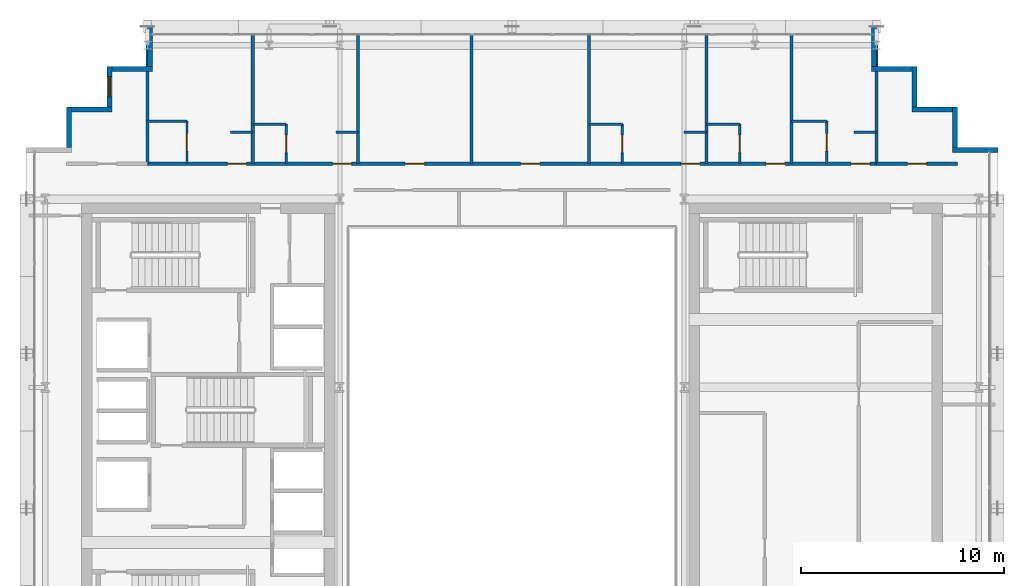
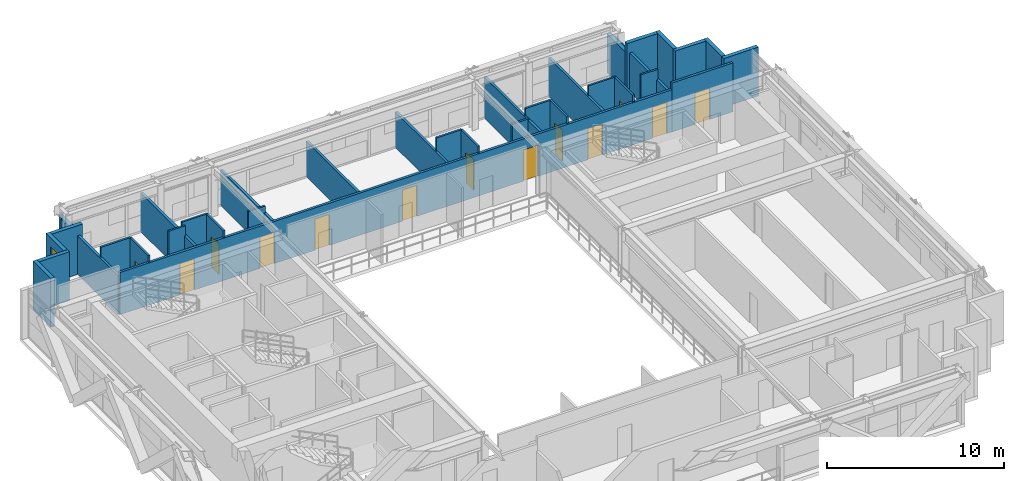
# One storey, part 27 of 32: 35 walls, 13 doors, 1 window, 14 openings.
"""IFC4 building model written with IfcOpenShell, lengths in metres."""

from ifc_helpers import new_model, si_unit, direction, frame, frame_2d, origin, place, context, subcontext, project, spatial, rectangle, extrude, source, transform, mapped, material, layer, layer_set, type_object, element, fill, save


model = new_model("IFC4")

# Units and contexts
model_context = context("Model", 3, precision=1e-05, world=origin(), true_north=direction((0.0, 1.0)))
body_context = subcontext(model_context, "Body", "Model", "MODEL_VIEW")
ifc_project = project(units=[si_unit("LENGTHUNIT", "METRE"), si_unit("AREAUNIT", "SQUARE_METRE"), si_unit("VOLUMEUNIT", "CUBIC_METRE"), si_unit("PLANEANGLEUNIT", "RADIAN"), si_unit("MASSUNIT", "GRAM", prefix="KILO")], contexts=[model_context])

# Site, building, storey
site_placement = place(None, origin())
site = spatial("IfcSite", under=ifc_project, at=site_placement, CompositionType="ELEMENT")
building_placement = place(site_placement, origin())
building = spatial("IfcBuilding", under=site, at=building_placement, Name="Ocotamira Hotel", CompositionType="ELEMENT")
storey_placement = place(building_placement, frame((0.0, 0.0, 184.800048828125)))
storey = spatial("IfcBuildingStorey", under=building, at=storey_placement, Name="L46", CompositionType="ELEMENT", Elevation=184.800048828125)

# Walls
ifc_material_1 = material(Name="Precast concrete C45/55", Category="concrete")
ifc_layer_1 = layer(ifc_material_1, 0.25)
ifc_layer_set_1 = layer_set([ifc_layer_1], Name="Precast concrete C45/55")
wall_type_1 = type_object("IfcWallType", Name="WL-EXT-SER-250", PredefinedType="SOLIDWALL", material=ifc_layer_set_1)
wall_1_placement = place(storey_placement, frame((56.0, 39.875, 0.0), z_axis=(0.0, 0.0, 1.0), x_axis=(-1.0, 0.0, 0.0)))
element("IfcWall", 1, at=wall_1_placement, inside=storey, type_object=wall_type_1, Name="L46 Serrated Corner Wall 07", PredefinedType="SOLIDWALL", context=body_context, shape_type="SweptSolid", body=[
    extrude(rectangle(XDim=2.25, YDim=0.25, at=frame_2d((1.125, 0.0))), origin(), (0.0, 0.0, 1.0), 3.369873046875),
])
for number, where, z_axis, x_axis, name in (
    (2, (53.875, 40.0, 0.0), (0.0, 0.0, 1.0), (0.0, 1.0, 0.0), "L46 Serrated Corner Wall 08"),
    (3, (53.75, 41.875, 0.0), (0.0, 0.0, 1.0), (-1.0, 0.0, 0.0), "L46 Serrated Corner Wall 09"),
    (4, (51.875, 42.0, 0.0), (0.0, 0.0, 1.0), (0.0, 1.0, 0.0), "L46 Serrated Corner Wall 10"),
    (5, (51.75, 43.875, 0.0), (0.0, 0.0, 1.0), (-1.0, 0.0, 0.0), "L46 Serrated Corner Wall 11"),
):
    element("IfcWall", number, at=place(storey_placement, frame(where, z_axis=z_axis, x_axis=x_axis)), inside=storey, type_object=wall_type_1, Name=name, PredefinedType="SOLIDWALL", context=body_context, shape_type="SweptSolid", body=[
        extrude(rectangle(XDim=2.0, YDim=0.25, at=frame_2d((1.0, 0.0))), origin(), (0.0, 0.0, 1.0), 3.369873046875),
    ])
for number, where, z_axis, x_axis, name in (
    (6, (49.875, 44.0, 0.0), (0.0, 0.0, 1.0), (0.0, 1.0, 0.0), "L46 Serrated Corner Wall 12"),
    (7, (14.125, 46.0, 0.0), (0.0, 0.0, 1.0), (0.0, -1.0, 0.0), "L46 Serrated Corner Wall 13"),
):
    element("IfcWall", number, at=place(storey_placement, frame(where, z_axis=z_axis, x_axis=x_axis)), inside=storey, type_object=wall_type_1, Name=name, PredefinedType="SOLIDWALL", context=body_context, shape_type="SweptSolid", body=[
        extrude(rectangle(XDim=2.0, YDim=0.25, at=frame_2d((1.0, 0.0))), origin(), (0.0, 0.0, 1.0), 2.677001953125),
    ])
wall_2_placement = place(storey_placement, frame((14.25, 43.875, 0.0), z_axis=(0.0, 0.0, 1.0), x_axis=(-1.0, 0.0, 0.0)))
element("IfcWall", 8, at=wall_2_placement, inside=storey, type_object=wall_type_1, Name="L46 Serrated Corner Wall 14", PredefinedType="SOLIDWALL", context=body_context, shape_type="SweptSolid", body=[
    extrude(rectangle(XDim=2.0, YDim=0.25, at=frame_2d((1.0, 0.0))), origin(), (0.0, 0.0, 1.0), 3.369873046875),
])

# Wall, opening, window
wall_3_placement = place(storey_placement, frame((12.125, 44.0, 0.0), z_axis=(0.0, 0.0, 1.0), x_axis=(0.0, -1.0, 0.0)))
wall_3 = element("IfcWall", 9, at=wall_3_placement, inside=storey, type_object=wall_type_1, Name="L46 Serrated Corner Wall 15", PredefinedType="SOLIDWALL", context=body_context, shape_type="SweptSolid", body=[
    extrude(rectangle(XDim=2.0, YDim=0.25, at=frame_2d((1.0, 0.0))), origin(), (0.0, 0.0, 1.0), 3.369873046875),
])
opening_1_placement = place(wall_3_placement, frame((0.5, 0.0, 0.85009765625)))
opening_1 = element("IfcOpeningElement", 10, at=opening_1_placement, cuts=wall_3, Name="Opening WN-2", PredefinedType="OPENING", context=body_context, shape_type="SweptSolid", body=[
    extrude(rectangle(XDim=1.0, YDim=1.89990234375, at=frame_2d((0.5, 0.949951171875))), frame((0.0, 0.135009765625, 0.0), z_axis=(0.0, -1.0, 0.0), x_axis=(1.0, 0.0, 0.0)), (0.0, 0.0, 1.0), 0.27001953125),
])
ifc_material_2 = material(Name="Double-silver low-E solar glass", Category="glass")
window_type = type_object("IfcWindowType", Name="WIN-SER-1100", PartitioningType="SINGLE_PANEL", PredefinedType="WINDOW", material=ifc_material_2)
shared_shape_1 = source(origin(), body_context, "Body", "SweptSolid", [
    extrude(rectangle(XDim=1.0, YDim=1.89990234375, at=frame_2d((0.5, 0.949951171875))), frame((0.0, 0.030029296875, 0.0), z_axis=(0.0, -1.0, 0.0), x_axis=(1.0, 0.0, 0.0)), (0.0, 0.0, 1.0), 0.06005859375),
])
window_placement = place(opening_1_placement, origin())
window = element("IfcWindow", 11, at=window_placement, inside=storey, type_object=window_type, Name="L46 Serrated Corner Window 15", OverallHeight=1.89990234375, OverallWidth=1.0, PartitioningType="SINGLE_PANEL", PredefinedType="WINDOW", context=body_context, shape_type="MappedRepresentation", body=[
    mapped(shared_shape_1, transform((0.0, 0.0, 0.0), scale=1.0)),
])
fill(opening_1, window)

# Walls
for number, where, z_axis, x_axis, name in (
    (12, (12.25, 41.875, 0.0), (0.0, 0.0, 1.0), (-1.0, 0.0, 0.0), "L46 Serrated Corner Wall 16"),
    (13, (10.125, 42.0, 0.0), (0.0, 0.0, 1.0), (0.0, -1.0, 0.0), "L46 Serrated Corner Wall 17"),
):
    element("IfcWall", number, at=place(storey_placement, frame(where, z_axis=z_axis, x_axis=x_axis)), inside=storey, type_object=wall_type_1, Name=name, PredefinedType="SOLIDWALL", context=body_context, shape_type="SweptSolid", body=[
        extrude(rectangle(XDim=2.0, YDim=0.25, at=frame_2d((1.0, 0.0))), origin(), (0.0, 0.0, 1.0), 3.369873046875),
    ])

# Wall, opening, door
ifc_material_3 = material(Name="Acoustic double-layer fire gypsum board partition", Category="gypsum")
ifc_layer_2 = layer(ifc_material_3, 0.159912109375)
ifc_layer_set_2 = layer_set([ifc_layer_2], Name="Acoustic double-layer fire gypsum board partition")
wall_type_2 = type_object("IfcWallType", Name="WL-FIRE-160", PredefinedType="PARTITIONING", material=ifc_layer_set_2)
wall_4_placement = place(storey_placement, frame((50.0, 39.199951171875, 0.0), z_axis=(0.0, 0.0, 1.0), x_axis=(1.0, 0.0, 0.0)))
wall_4 = element("IfcWall", 14, at=wall_4_placement, inside=storey, type_object=wall_type_2, Name="L46 Interior Wall PW-L46-Z3C-CNE-CW", PredefinedType="PARTITIONING", context=body_context, shape_type="SweptSolid", body=[
    extrude(rectangle(XDim=4.0, YDim=0.159912109375, at=frame_2d((2.0, 0.0))), origin(), (0.0, 0.0, 1.0), 3.369873046875),
])
opening_2_placement = place(wall_4_placement, frame((1.52001953125, 0.0, 0.0)))
opening_2 = element("IfcOpeningElement", 15, at=opening_2_placement, cuts=wall_4, Name="Opening D-SV4", PredefinedType="OPENING", context=body_context, shape_type="SweptSolid", body=[
    extrude(rectangle(XDim=0.9599609375, YDim=2.14990234375, at=frame_2d((0.47998046875, 1.074951171875))), frame((0.0, 0.08984375, 0.0), z_axis=(0.0, -1.0, 0.0), x_axis=(1.0, 0.0, 0.0)), (0.0, 0.0, 1.0), 0.179931640625),
])
ifc_material_4 = material(Name="Fire-rated accessible walnut salon door", Category="wood")
door_type_1 = type_object("IfcDoorType", Name="DR-SERV-960", OperationType="NOTDEFINED", PredefinedType="DOOR", material=ifc_material_4)
shared_shape_2 = source(origin(), body_context, "Body", "SweptSolid", [
    extrude(rectangle(XDim=0.9599609375, YDim=2.14990234375, at=frame_2d((0.47998046875, 1.074951171875))), frame((0.0, 0.02490234375, 0.0), z_axis=(0.0, -1.0, 0.0), x_axis=(1.0, 0.0, 0.0)), (0.0, 0.0, 1.0), 0.050048828125),
])
door_1_placement = place(opening_2_placement, origin())
door_1 = element("IfcDoor", 16, at=door_1_placement, inside=storey, type_object=door_type_1, Name="L46 Door ID-L46-Z3C-CNE-CD [ID-L46-Z3C-CNE-CD]", OperationType="SINGLE_SWING_LEFT", OverallHeight=2.14990234375, OverallWidth=0.9599609375, PredefinedType="DOOR", context=body_context, shape_type="MappedRepresentation", body=[
    mapped(shared_shape_2, transform((0.0, 0.0, 0.0), scale=1.0)),
])
fill(opening_2, door_1)

# Wall, openings, doors
wall_5_placement = place(storey_placement, frame((14.0, 39.199951171875, 0.0), z_axis=(0.0, 0.0, 1.0), x_axis=(1.0, 0.0, 0.0)))
wall_5 = element("IfcWall", 17, at=wall_5_placement, inside=storey, type_object=wall_type_2, Name="L46 Interior Wall PW-L46-Z3CN-CORRW", PredefinedType="PARTITIONING", context=body_context, shape_type="SweptSolid", body=[
    extrude(rectangle(XDim=36.0, YDim=0.159912109375, at=frame_2d((18.0, 0.0))), origin(), (0.0, 0.0, 1.0), 2.912841796875),
])
opening_3_placement = place(wall_5_placement, frame((3.93994140625, 0.0, 0.0)))
opening_3 = element("IfcOpeningElement", 18, at=opening_3_placement, cuts=wall_5, Name="Opening D-GR1", PredefinedType="OPENING", context=body_context, shape_type="SweptSolid", body=[
    extrude(rectangle(XDim=0.93994140625, YDim=2.14990234375, at=frame_2d((0.469970703125, 1.074951171875))), frame((0.0, 0.08984375, 0.0), z_axis=(0.0, -1.0, 0.0), x_axis=(1.0, 0.0, 0.0)), (0.0, 0.0, 1.0), 0.179931640625),
])
opening_4_placement = place(wall_5_placement, frame((9.139892578125, 0.0, 0.0)))
opening_4 = element("IfcOpeningElement", 19, at=opening_4_placement, cuts=wall_5, Name="Opening D-GR1", PredefinedType="OPENING", context=body_context, shape_type="SweptSolid", body=[
    extrude(rectangle(XDim=0.93994140625, YDim=2.14990234375, at=frame_2d((0.469970703125, 1.074951171875))), frame((0.0, 0.08984375, 0.0), z_axis=(0.0, -1.0, 0.0), x_axis=(1.0, 0.0, 0.0)), (0.0, 0.0, 1.0), 0.179931640625),
])
opening_5_placement = place(wall_5_placement, frame((12.719970703125, 0.0, 0.0)))
opening_5 = element("IfcOpeningElement", 20, at=opening_5_placement, cuts=wall_5, Name="Opening D-SV4", PredefinedType="OPENING", context=body_context, shape_type="SweptSolid", body=[
    extrude(rectangle(XDim=0.9599609375, YDim=2.14990234375, at=frame_2d((0.47998046875, 1.074951171875))), frame((0.0, 0.08984375, 0.0), z_axis=(0.0, -1.0, 0.0), x_axis=(1.0, 0.0, 0.0)), (0.0, 0.0, 1.0), 0.179931640625),
])
opening_6_placement = place(wall_5_placement, frame((18.419921875, 0.0, 0.0)))
opening_6 = element("IfcOpeningElement", 21, at=opening_6_placement, cuts=wall_5, Name="Opening D-SV4", PredefinedType="OPENING", context=body_context, shape_type="SweptSolid", body=[
    extrude(rectangle(XDim=0.9599609375, YDim=2.14990234375, at=frame_2d((0.47998046875, 1.074951171875))), frame((0.0, 0.08984375, 0.0), z_axis=(0.0, -1.0, 0.0), x_axis=(1.0, 0.0, 0.0)), (0.0, 0.0, 1.0), 0.179931640625),
])
opening_7_placement = place(wall_5_placement, frame((26.340087890625, 0.0, 0.0)))
opening_7 = element("IfcOpeningElement", 22, at=opening_7_placement, cuts=wall_5, Name="Opening D-GR1", PredefinedType="OPENING", context=body_context, shape_type="SweptSolid", body=[
    extrude(rectangle(XDim=0.93994140625, YDim=2.14990234375, at=frame_2d((0.469970703125, 1.074951171875))), frame((0.0, 0.08984375, 0.0), z_axis=(0.0, -1.0, 0.0), x_axis=(1.0, 0.0, 0.0)), (0.0, 0.0, 1.0), 0.179931640625),
])
opening_8_placement = place(wall_5_placement, frame((30.5400390625, 0.0, 0.0)))
opening_8 = element("IfcOpeningElement", 23, at=opening_8_placement, cuts=wall_5, Name="Opening D-GR1", PredefinedType="OPENING", context=body_context, shape_type="SweptSolid", body=[
    extrude(rectangle(XDim=0.93994140625, YDim=2.14990234375, at=frame_2d((0.469970703125, 1.074951171875))), frame((0.0, 0.08984375, 0.0), z_axis=(0.0, -1.0, 0.0), x_axis=(1.0, 0.0, 0.0)), (0.0, 0.0, 1.0), 0.179931640625),
])
opening_9_placement = place(wall_5_placement, frame((34.739990234375, 0.0, 0.0)))
opening_9 = element("IfcOpeningElement", 24, at=opening_9_placement, cuts=wall_5, Name="Opening D-GR1", PredefinedType="OPENING", context=body_context, shape_type="SweptSolid", body=[
    extrude(rectangle(XDim=0.93994140625, YDim=2.14990234375, at=frame_2d((0.469970703125, 1.074951171875))), frame((0.0, 0.08984375, 0.0), z_axis=(0.0, -1.0, 0.0), x_axis=(1.0, 0.0, 0.0)), (0.0, 0.0, 1.0), 0.179931640625),
])
door_2_placement = place(opening_5_placement, origin())
door_2 = element("IfcDoor", 25, at=door_2_placement, inside=storey, type_object=door_type_1, Name="L46 Door ID-L46-Z3CN-AMD3 [ID-L46-Z3CN-AMD3]", OperationType="SINGLE_SWING_LEFT", OverallHeight=2.14990234375, OverallWidth=0.9599609375, PredefinedType="DOOR", context=body_context, shape_type="MappedRepresentation", body=[
    mapped(shared_shape_2, transform((0.0, 0.0, 0.0), scale=1.0)),
])
fill(opening_5, door_2)
door_3_placement = place(opening_6_placement, origin())
door_3 = element("IfcDoor", 26, at=door_3_placement, inside=storey, type_object=door_type_1, Name="L46 Door ID-L46-Z3CN-AMD4 [ID-L46-Z3CN-AMD4]", OperationType="SINGLE_SWING_RIGHT", OverallHeight=2.14990234375, OverallWidth=0.9599609375, PredefinedType="DOOR", context=body_context, shape_type="MappedRepresentation", body=[
    mapped(shared_shape_2, transform((0.0, 0.0, 0.0), scale=1.0)),
])
fill(opening_6, door_3)
ifc_material_5 = material(Name="Solid-core walnut suite entrance fire door", Category="wood")
door_type_2 = type_object("IfcDoorType", Name="DR-GUEST-940", OperationType="NOTDEFINED", PredefinedType="DOOR", material=ifc_material_5)
shared_shape_3 = source(origin(), body_context, "Body", "SweptSolid", [
    extrude(rectangle(XDim=0.93994140625, YDim=2.14990234375, at=frame_2d((0.469970703125, 1.074951171875))), frame((0.0, 0.02490234375, 0.0), z_axis=(0.0, -1.0, 0.0), x_axis=(1.0, 0.0, 0.0)), (0.0, 0.0, 1.0), 0.050048828125),
])
door_4_placement = place(opening_3_placement, origin())
door_4 = element("IfcDoor", 27, at=door_4_placement, inside=storey, type_object=door_type_2, Name="L46 Door ID-L46-Z3CN-RMD1 [ID-L46-Z3CN-RMD1]", OperationType="SINGLE_SWING_LEFT", OverallHeight=2.14990234375, OverallWidth=0.93994140625, PredefinedType="DOOR", context=body_context, shape_type="MappedRepresentation", body=[
    mapped(shared_shape_3, transform((0.0, 0.0, 0.0), scale=1.0)),
])
fill(opening_3, door_4)
door_5_placement = place(opening_4_placement, origin())
door_5 = element("IfcDoor", 28, at=door_5_placement, inside=storey, type_object=door_type_2, Name="L46 Door ID-L46-Z3CN-RMD2 [ID-L46-Z3CN-RMD2]", OperationType="SINGLE_SWING_RIGHT", OverallHeight=2.14990234375, OverallWidth=0.93994140625, PredefinedType="DOOR", context=body_context, shape_type="MappedRepresentation", body=[
    mapped(shared_shape_3, transform((0.0, 0.0, 0.0), scale=1.0)),
])
fill(opening_4, door_5)
door_6_placement = place(opening_7_placement, origin())
door_6 = element("IfcDoor", 29, at=door_6_placement, inside=storey, type_object=door_type_2, Name="L46 Door ID-L46-Z3CN-RMD5 [ID-L46-Z3CN-RMD5]", OperationType="SINGLE_SWING_LEFT", OverallHeight=2.14990234375, OverallWidth=0.93994140625, PredefinedType="DOOR", context=body_context, shape_type="MappedRepresentation", body=[
    mapped(shared_shape_3, transform((0.0, 0.0, 0.0), scale=1.0)),
])
fill(opening_7, door_6)
door_7_placement = place(opening_8_placement, origin())
door_7 = element("IfcDoor", 30, at=door_7_placement, inside=storey, type_object=door_type_2, Name="L46 Door ID-L46-Z3CN-RMD6 [ID-L46-Z3CN-RMD6]", OperationType="SINGLE_SWING_RIGHT", OverallHeight=2.14990234375, OverallWidth=0.93994140625, PredefinedType="DOOR", context=body_context, shape_type="MappedRepresentation", body=[
    mapped(shared_shape_3, transform((0.0, 0.0, 0.0), scale=1.0)),
])
fill(opening_8, door_7)
door_8_placement = place(opening_9_placement, origin())
door_8 = element("IfcDoor", 31, at=door_8_placement, inside=storey, type_object=door_type_2, Name="L46 Door ID-L46-Z3CN-RMD7 [ID-L46-Z3CN-RMD7]", OperationType="SINGLE_SWING_LEFT", OverallHeight=2.14990234375, OverallWidth=0.93994140625, PredefinedType="DOOR", context=body_context, shape_type="MappedRepresentation", body=[
    mapped(shared_shape_3, transform((0.0, 0.0, 0.0), scale=1.0)),
])
fill(opening_9, door_8)

# Wall, opening, door
ifc_material_6 = material(Name="Moisture-resistant en-suite tile and gypsum partition", Category="gypsum")
ifc_layer_3 = layer(ifc_material_6, 0.1201171875)
ifc_layer_set_3 = layer_set([ifc_layer_3], Name="Moisture-resistant en-suite tile and gypsum partition")
wall_type_3 = type_object("IfcWallType", Name="WL-PART-120", PredefinedType="PARTITIONING", material=ifc_layer_set_3)
wall_6_placement = place(storey_placement, frame((15.949951171875, 39.199951171875, 0.0), z_axis=(0.0, 0.0, 1.0), x_axis=(0.0, 1.0, 0.0)))
wall_6 = element("IfcWall", 32, at=wall_6_placement, inside=storey, type_object=wall_type_3, Name="L46 Interior Wall PW-L46-Z3CN-BAE1", PredefinedType="PARTITIONING", context=body_context, shape_type="SweptSolid", body=[
    extrude(rectangle(XDim=2.10009765625, YDim=0.1201171875, at=frame_2d((1.050048828125, 0.0))), origin(), (0.0, 0.0, 1.0), 3.369873046875),
])
opening_10_placement = place(wall_6_placement, frame((0.6201171875, 0.0, 0.0)))
opening_10 = element("IfcOpeningElement", 33, at=opening_10_placement, cuts=wall_6, Name="Opening D-BA1", PredefinedType="OPENING", context=body_context, shape_type="SweptSolid", body=[
    extrude(rectangle(XDim=0.860107421875, YDim=2.10009765625, at=frame_2d((0.43017578125, 1.050048828125))), frame((0.0, 0.070068359375, 0.0), z_axis=(0.0, -1.0, 0.0), x_axis=(1.0, 0.0, 0.0)), (0.0, 0.0, 1.0), 0.14013671875),
])
ifc_material_7 = material(Name="Moisture-sealed en-suite timber door", Category="wood")
door_type_3 = type_object("IfcDoorType", Name="DR-BATH-860", OperationType="NOTDEFINED", PredefinedType="DOOR", material=ifc_material_7)
shared_shape_4 = source(origin(), body_context, "Body", "SweptSolid", [
    extrude(rectangle(XDim=0.860107421875, YDim=2.10009765625, at=frame_2d((0.43017578125, 1.050048828125))), frame((0.0, 0.02490234375, 0.0), z_axis=(0.0, -1.0, 0.0), x_axis=(1.0, 0.0, 0.0)), (0.0, 0.0, 1.0), 0.050048828125),
])
door_9_placement = place(opening_10_placement, origin())
door_9 = element("IfcDoor", 34, at=door_9_placement, inside=storey, type_object=door_type_3, Name="L46 Door ID-L46-Z3CN-BAD1 [ID-L46-Z3CN-BAD1]", OperationType="SINGLE_SWING_RIGHT", OverallHeight=2.10009765625, OverallWidth=0.860107421875, PredefinedType="DOOR", context=body_context, shape_type="MappedRepresentation", body=[
    mapped(shared_shape_4, transform((0.0, 0.0, 0.0), scale=1.0)),
])
fill(opening_10, door_9)

# Walls
wall_7_placement = place(storey_placement, frame((14.0, 41.300048828125, 0.0), z_axis=(0.0, 0.0, 1.0), x_axis=(1.0, 0.0, 0.0)))
element("IfcWall", 35, at=wall_7_placement, inside=storey, type_object=wall_type_3, Name="L46 Interior Wall PW-L46-Z3CN-BAN1", PredefinedType="PARTITIONING", context=body_context, shape_type="SweptSolid", body=[
    extrude(rectangle(XDim=1.949951171875, YDim=0.1201171875, at=frame_2d((0.97509765625, 0.0))), origin(), (0.0, 0.0, 1.0), 3.369873046875),
])
wall_8_placement = place(storey_placement, frame((18.10009765625, 40.75, 0.0), z_axis=(0.0, 0.0, 1.0), x_axis=(1.0, 0.0, 0.0)))
element("IfcWall", 36, at=wall_8_placement, inside=storey, type_object=wall_type_3, Name="L46 Interior Wall PW-L46-Z3CN-DRN1", PredefinedType="PARTITIONING", context=body_context, shape_type="SweptSolid", body=[
    extrude(rectangle(XDim=1.099853515625, YDim=0.1201171875, at=frame_2d((0.5498046875, 0.0))), origin(), (0.0, 0.0, 1.0), 3.369873046875),
])

# Wall, opening, door
wall_9_placement = place(storey_placement, frame((20.85009765625, 39.199951171875, 0.0), z_axis=(0.0, 0.0, 1.0), x_axis=(0.0, 1.0, 0.0)))
wall_9 = element("IfcWall", 37, at=wall_9_placement, inside=storey, type_object=wall_type_3, Name="L46 Interior Wall PW-L46-Z3CN-BAE2", PredefinedType="PARTITIONING", context=body_context, shape_type="SweptSolid", body=[
    extrude(rectangle(XDim=1.949951171875, YDim=0.1201171875, at=frame_2d((0.97509765625, 0.0))), origin(), (0.0, 0.0, 1.0), 3.369873046875),
])
opening_11_placement = place(wall_9_placement, frame((0.544921875, 0.0, 0.0)))
opening_11 = element("IfcOpeningElement", 38, at=opening_11_placement, cuts=wall_9, Name="Opening D-BA1", PredefinedType="OPENING", context=body_context, shape_type="SweptSolid", body=[
    extrude(rectangle(XDim=0.860107421875, YDim=2.10009765625, at=frame_2d((0.43017578125, 1.050048828125))), frame((0.0, 0.070068359375, 0.0), z_axis=(0.0, -1.0, 0.0), x_axis=(1.0, 0.0, 0.0)), (0.0, 0.0, 1.0), 0.14013671875),
])
door_10_placement = place(opening_11_placement, origin())
door_10 = element("IfcDoor", 39, at=door_10_placement, inside=storey, type_object=door_type_3, Name="L46 Door ID-L46-Z3CN-BAD2 [ID-L46-Z3CN-BAD2]", OperationType="SINGLE_SWING_LEFT", OverallHeight=2.10009765625, OverallWidth=0.860107421875, PredefinedType="DOOR", context=body_context, shape_type="MappedRepresentation", body=[
    mapped(shared_shape_4, transform((0.0, 0.0, 0.0), scale=1.0)),
])
fill(opening_11, door_10)

# Walls
wall_10_placement = place(storey_placement, frame((19.199951171875, 41.14990234375, 0.0), z_axis=(0.0, 0.0, 1.0), x_axis=(1.0, 0.0, 0.0)))
element("IfcWall", 40, at=wall_10_placement, inside=storey, type_object=wall_type_3, Name="L46 Interior Wall PW-L46-Z3CN-BAN2", PredefinedType="PARTITIONING", context=body_context, shape_type="SweptSolid", body=[
    extrude(rectangle(XDim=1.650146484375, YDim=0.1201171875, at=frame_2d((0.8251953125, 0.0))), origin(), (0.0, 0.0, 1.0), 3.369873046875),
])
wall_11_placement = place(storey_placement, frame((23.300048828125, 40.75, 0.0), z_axis=(0.0, 0.0, 1.0), x_axis=(1.0, 0.0, 0.0)))
element("IfcWall", 41, at=wall_11_placement, inside=storey, type_object=wall_type_3, Name="L46 Interior Wall PW-L46-Z3CN-DRN2", PredefinedType="PARTITIONING", context=body_context, shape_type="SweptSolid", body=[
    extrude(rectangle(XDim=1.099853515625, YDim=0.1201171875, at=frame_2d((0.5498046875, 0.0))), origin(), (0.0, 0.0, 1.0), 2.912841796875),
])

# Wall, opening, door
wall_12_placement = place(storey_placement, frame((37.449951171875, 39.199951171875, 0.0), z_axis=(0.0, 0.0, 1.0), x_axis=(0.0, 1.0, 0.0)))
wall_12 = element("IfcWall", 42, at=wall_12_placement, inside=storey, type_object=wall_type_3, Name="L46 Interior Wall PW-L46-Z3CN-BAE5", PredefinedType="PARTITIONING", context=body_context, shape_type="SweptSolid", body=[
    extrude(rectangle(XDim=1.949951171875, YDim=0.1201171875, at=frame_2d((0.97509765625, 0.0))), origin(), (0.0, 0.0, 1.0), 3.369873046875),
])
opening_12_placement = place(wall_12_placement, frame((0.544921875, 0.0, 0.0)))
opening_12 = element("IfcOpeningElement", 43, at=opening_12_placement, cuts=wall_12, Name="Opening D-BA1", PredefinedType="OPENING", context=body_context, shape_type="SweptSolid", body=[
    extrude(rectangle(XDim=0.860107421875, YDim=2.10009765625, at=frame_2d((0.43017578125, 1.050048828125))), frame((0.0, 0.070068359375, 0.0), z_axis=(0.0, -1.0, 0.0), x_axis=(1.0, 0.0, 0.0)), (0.0, 0.0, 1.0), 0.14013671875),
])
door_11_placement = place(opening_12_placement, origin())
door_11 = element("IfcDoor", 44, at=door_11_placement, inside=storey, type_object=door_type_3, Name="L46 Door ID-L46-Z3CN-BAD5 [ID-L46-Z3CN-BAD5]", OperationType="SINGLE_SWING_RIGHT", OverallHeight=2.10009765625, OverallWidth=0.860107421875, PredefinedType="DOOR", context=body_context, shape_type="MappedRepresentation", body=[
    mapped(shared_shape_4, transform((0.0, 0.0, 0.0), scale=1.0)),
])
fill(opening_12, door_11)

# Walls
wall_13_placement = place(storey_placement, frame((35.800048828125, 41.14990234375, 0.0), z_axis=(0.0, 0.0, 1.0), x_axis=(1.0, 0.0, 0.0)))
element("IfcWall", 45, at=wall_13_placement, inside=storey, type_object=wall_type_3, Name="L46 Interior Wall PW-L46-Z3CN-BAN5", PredefinedType="PARTITIONING", context=body_context, shape_type="SweptSolid", body=[
    extrude(rectangle(XDim=1.64990234375, YDim=0.1201171875, at=frame_2d((0.824951171875, 0.0))), origin(), (0.0, 0.0, 1.0), 3.369873046875),
])
wall_14_placement = place(storey_placement, frame((40.5, 40.75, 0.0), z_axis=(0.0, 0.0, 1.0), x_axis=(1.0, 0.0, 0.0)))
element("IfcWall", 46, at=wall_14_placement, inside=storey, type_object=wall_type_3, Name="L46 Interior Wall PW-L46-Z3CN-DRN5", PredefinedType="PARTITIONING", context=body_context, shape_type="SweptSolid", body=[
    extrude(rectangle(XDim=1.10009765625, YDim=0.1201171875, at=frame_2d((0.550048828125, 0.0))), origin(), (0.0, 0.0, 1.0), 2.912841796875),
])

# Wall, opening, door
wall_15_placement = place(storey_placement, frame((43.25, 39.199951171875, 0.0), z_axis=(0.0, 0.0, 1.0), x_axis=(0.0, 1.0, 0.0)))
wall_15 = element("IfcWall", 47, at=wall_15_placement, inside=storey, type_object=wall_type_3, Name="L46 Interior Wall PW-L46-Z3CN-BAE6", PredefinedType="PARTITIONING", context=body_context, shape_type="SweptSolid", body=[
    extrude(rectangle(XDim=1.949951171875, YDim=0.1201171875, at=frame_2d((0.97509765625, 0.0))), origin(), (0.0, 0.0, 1.0), 3.369873046875),
])
opening_13_placement = place(wall_15_placement, frame((0.544921875, 0.0, 0.0)))
opening_13 = element("IfcOpeningElement", 48, at=opening_13_placement, cuts=wall_15, Name="Opening D-BA1", PredefinedType="OPENING", context=body_context, shape_type="SweptSolid", body=[
    extrude(rectangle(XDim=0.860107421875, YDim=2.10009765625, at=frame_2d((0.43017578125, 1.050048828125))), frame((0.0, 0.070068359375, 0.0), z_axis=(0.0, -1.0, 0.0), x_axis=(1.0, 0.0, 0.0)), (0.0, 0.0, 1.0), 0.14013671875),
])
door_12_placement = place(opening_13_placement, origin())
door_12 = element("IfcDoor", 49, at=door_12_placement, inside=storey, type_object=door_type_3, Name="L46 Door ID-L46-Z3CN-BAD6 [ID-L46-Z3CN-BAD6]", OperationType="SINGLE_SWING_LEFT", OverallHeight=2.10009765625, OverallWidth=0.860107421875, PredefinedType="DOOR", context=body_context, shape_type="MappedRepresentation", body=[
    mapped(shared_shape_4, transform((0.0, 0.0, 0.0), scale=1.0)),
])
fill(opening_13, door_12)

# Wall
wall_16_placement = place(storey_placement, frame((41.60009765625, 41.14990234375, 0.0), z_axis=(0.0, 0.0, 1.0), x_axis=(1.0, 0.0, 0.0)))
element("IfcWall", 50, at=wall_16_placement, inside=storey, type_object=wall_type_3, Name="L46 Interior Wall PW-L46-Z3CN-BAN6", PredefinedType="PARTITIONING", context=body_context, shape_type="SweptSolid", body=[
    extrude(rectangle(XDim=1.64990234375, YDim=0.1201171875, at=frame_2d((0.824951171875, 0.0))), origin(), (0.0, 0.0, 1.0), 3.369873046875),
])

# Wall, opening, door
wall_17_placement = place(storey_placement, frame((47.550048828125, 39.199951171875, 0.0), z_axis=(0.0, 0.0, 1.0), x_axis=(0.0, 1.0, 0.0)))
wall_17 = element("IfcWall", 51, at=wall_17_placement, inside=storey, type_object=wall_type_3, Name="L46 Interior Wall PW-L46-Z3CN-BAE7", PredefinedType="PARTITIONING", context=body_context, shape_type="SweptSolid", body=[
    extrude(rectangle(XDim=2.10009765625, YDim=0.1201171875, at=frame_2d((1.050048828125, 0.0))), origin(), (0.0, 0.0, 1.0), 3.369873046875),
])
opening_14_placement = place(wall_17_placement, frame((0.6201171875, 0.0, 0.0)))
opening_14 = element("IfcOpeningElement", 52, at=opening_14_placement, cuts=wall_17, Name="Opening D-BA1", PredefinedType="OPENING", context=body_context, shape_type="SweptSolid", body=[
    extrude(rectangle(XDim=0.860107421875, YDim=2.10009765625, at=frame_2d((0.43017578125, 1.050048828125))), frame((0.0, 0.070068359375, 0.0), z_axis=(0.0, -1.0, 0.0), x_axis=(1.0, 0.0, 0.0)), (0.0, 0.0, 1.0), 0.14013671875),
])
door_13_placement = place(opening_14_placement, origin())
door_13 = element("IfcDoor", 53, at=door_13_placement, inside=storey, type_object=door_type_3, Name="L46 Door ID-L46-Z3CN-BAD7 [ID-L46-Z3CN-BAD7]", OperationType="SINGLE_SWING_RIGHT", OverallHeight=2.10009765625, OverallWidth=0.860107421875, PredefinedType="DOOR", context=body_context, shape_type="MappedRepresentation", body=[
    mapped(shared_shape_4, transform((0.0, 0.0, 0.0), scale=1.0)),
])
fill(opening_14, door_13)

# Walls
wall_18_placement = place(storey_placement, frame((45.800048828125, 41.300048828125, 0.0), z_axis=(0.0, 0.0, 1.0), x_axis=(1.0, 0.0, 0.0)))
element("IfcWall", 54, at=wall_18_placement, inside=storey, type_object=wall_type_3, Name="L46 Interior Wall PW-L46-Z3CN-BAN7", PredefinedType="PARTITIONING", context=body_context, shape_type="SweptSolid", body=[
    extrude(rectangle(XDim=1.75, YDim=0.1201171875, at=frame_2d((0.875, 0.0))), origin(), (0.0, 0.0, 1.0), 3.369873046875),
])
wall_19_placement = place(storey_placement, frame((48.89990234375, 40.75, 0.0), z_axis=(0.0, 0.0, 1.0), x_axis=(1.0, 0.0, 0.0)))
element("IfcWall", 55, at=wall_19_placement, inside=storey, type_object=wall_type_3, Name="L46 Interior Wall PW-L46-Z3CN-DRN7", PredefinedType="PARTITIONING", context=body_context, shape_type="SweptSolid", body=[
    extrude(rectangle(XDim=1.10009765625, YDim=0.1201171875, at=frame_2d((0.550048828125, 0.0))), origin(), (0.0, 0.0, 1.0), 3.369873046875),
])
ifc_material_8 = material(Name="Acoustic double-stud hospitality gypsum partition", Category="gypsum")
ifc_layer_4 = layer(ifc_material_8, 0.159912109375)
ifc_layer_set_4 = layer_set([ifc_layer_4], Name="Acoustic double-stud hospitality gypsum partition")
wall_type_4 = type_object("IfcWallType", Name="WL-PART-160", PredefinedType="PARTITIONING", material=ifc_layer_set_4)
for number, where, z_axis, x_axis, name in (
    (56, (14.0, 39.199951171875, 0.0), (0.0, 0.0, 1.0), (0.0, 1.0, 0.0), "L46 Interior Wall PW-L46-Z3CN-PW0"),
    (57, (50.0, 39.199951171875, 0.0), (0.0, 0.0, 1.0), (0.0, 1.0, 0.0), "L46 Interior Wall PW-L46-Z3CN-PWEND"),
):
    element("IfcWall", number, at=place(storey_placement, frame(where, z_axis=z_axis, x_axis=x_axis)), inside=storey, type_object=wall_type_4, Name=name, PredefinedType="PARTITIONING", context=body_context, shape_type="SweptSolid", body=[
        extrude(rectangle(XDim=6.43994140625, YDim=0.159912109375, at=frame_2d((3.219970703125, 0.0))), origin(), (0.0, 0.0, 1.0), 2.677001953125),
    ])
for number, where, z_axis, x_axis, name in (
    (58, (24.39990234375, 39.199951171875, 0.0), (0.0, 0.0, 1.0), (0.0, 1.0, 0.0), "L46 Interior Wall PW-L46-Z3CN-PW2"),
    (59, (30.0, 39.199951171875, 0.0), (0.0, 0.0, 1.0), (0.0, 1.0, 0.0), "L46 Interior Wall PW-L46-Z3CN-PW3"),
    (60, (35.800048828125, 39.199951171875, 0.0), (0.0, 0.0, 1.0), (0.0, 1.0, 0.0), "L46 Interior Wall PW-L46-Z3CN-PW4"),
):
    element("IfcWall", number, at=place(storey_placement, frame(where, z_axis=z_axis, x_axis=x_axis)), inside=storey, type_object=wall_type_4, Name=name, PredefinedType="PARTITIONING", context=body_context, shape_type="SweptSolid", body=[
        extrude(rectangle(XDim=6.43994140625, YDim=0.159912109375, at=frame_2d((3.219970703125, 0.0))), origin(), (0.0, 0.0, 1.0), 2.44287109375),
    ])
wall_20_placement = place(storey_placement, frame((41.60009765625, 39.199951171875, 0.0), z_axis=(0.0, 0.0, 1.0), x_axis=(0.0, 1.0, 0.0)))
element("IfcWall", 61, at=wall_20_placement, inside=storey, type_object=wall_type_4, Name="L46 Interior Wall PW-L46-Z3CN-PW5", PredefinedType="PARTITIONING", context=body_context, shape_type="SweptSolid", body=[
    extrude(rectangle(XDim=6.43994140625, YDim=0.159912109375, at=frame_2d((3.219970703125, 0.0))), origin(), (0.0, 0.0, 1.0), 2.8330078125),
])
wall_21_placement = place(storey_placement, frame((45.800048828125, 39.199951171875, 0.0), z_axis=(0.0, 0.0, 1.0), x_axis=(0.0, 1.0, 0.0)))
element("IfcWall", 62, at=wall_21_placement, inside=storey, type_object=wall_type_4, Name="L46 Interior Wall PW-L46-Z3CN-PW6", PredefinedType="PARTITIONING", context=body_context, shape_type="SweptSolid", body=[
    extrude(rectangle(XDim=6.43994140625, YDim=0.159912109375, at=frame_2d((3.219970703125, 0.0))), origin(), (0.0, 0.0, 1.0), 2.677001953125),
])
ifc_material_9 = material(Name="Double-stud suite party gypsum partition", Category="gypsum")
ifc_layer_5 = layer(ifc_material_9, 0.175048828125)
ifc_layer_set_5 = layer_set([ifc_layer_5], Name="Double-stud suite party gypsum partition")
wall_type_5 = type_object("IfcWallType", Name="WL-PART-175", PredefinedType="PARTITIONING", material=ifc_layer_set_5)
wall_22_placement = place(storey_placement, frame((19.199951171875, 39.199951171875, 0.0), z_axis=(0.0, 0.0, 1.0), x_axis=(0.0, 1.0, 0.0)))
element("IfcWall", 63, at=wall_22_placement, inside=storey, type_object=wall_type_5, Name="L46 Interior Wall PW-L46-Z3CN-PW1", PredefinedType="PARTITIONING", context=body_context, shape_type="SweptSolid", body=[
    extrude(rectangle(XDim=6.43994140625, YDim=0.175048828125, at=frame_2d((3.219970703125, 0.0))), origin(), (0.0, 0.0, 1.0), 2.677001953125),
])

save(model, "model.ifc")
